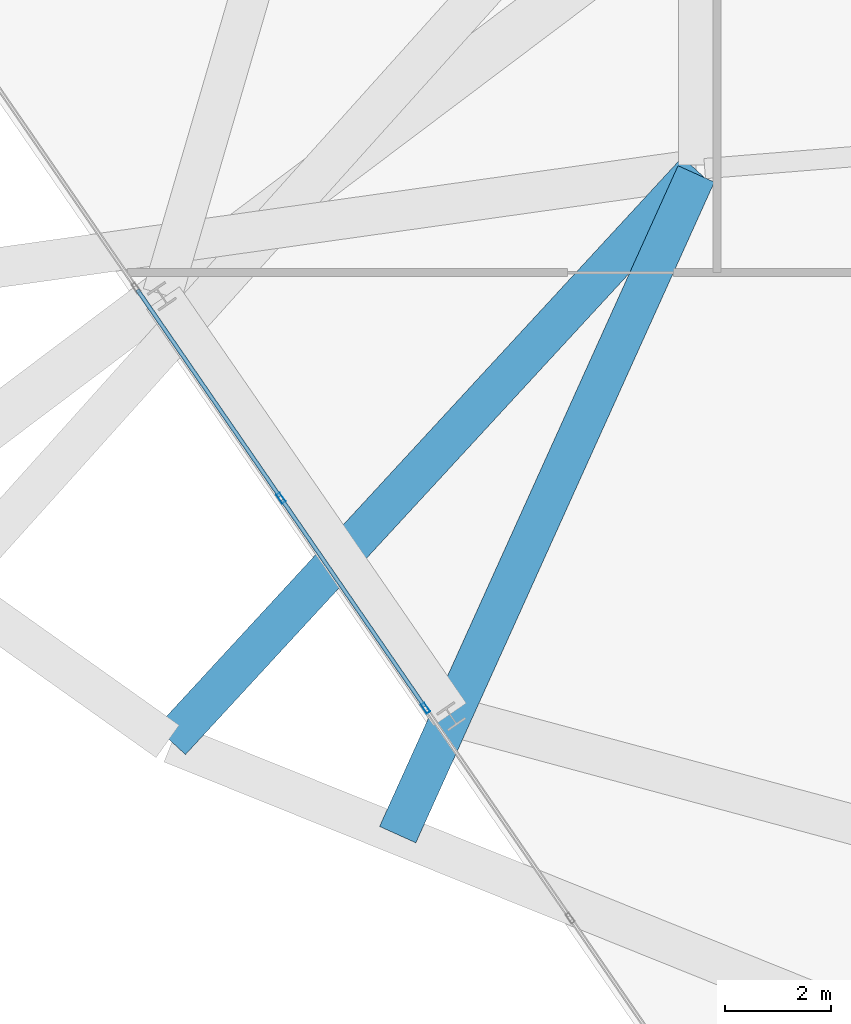
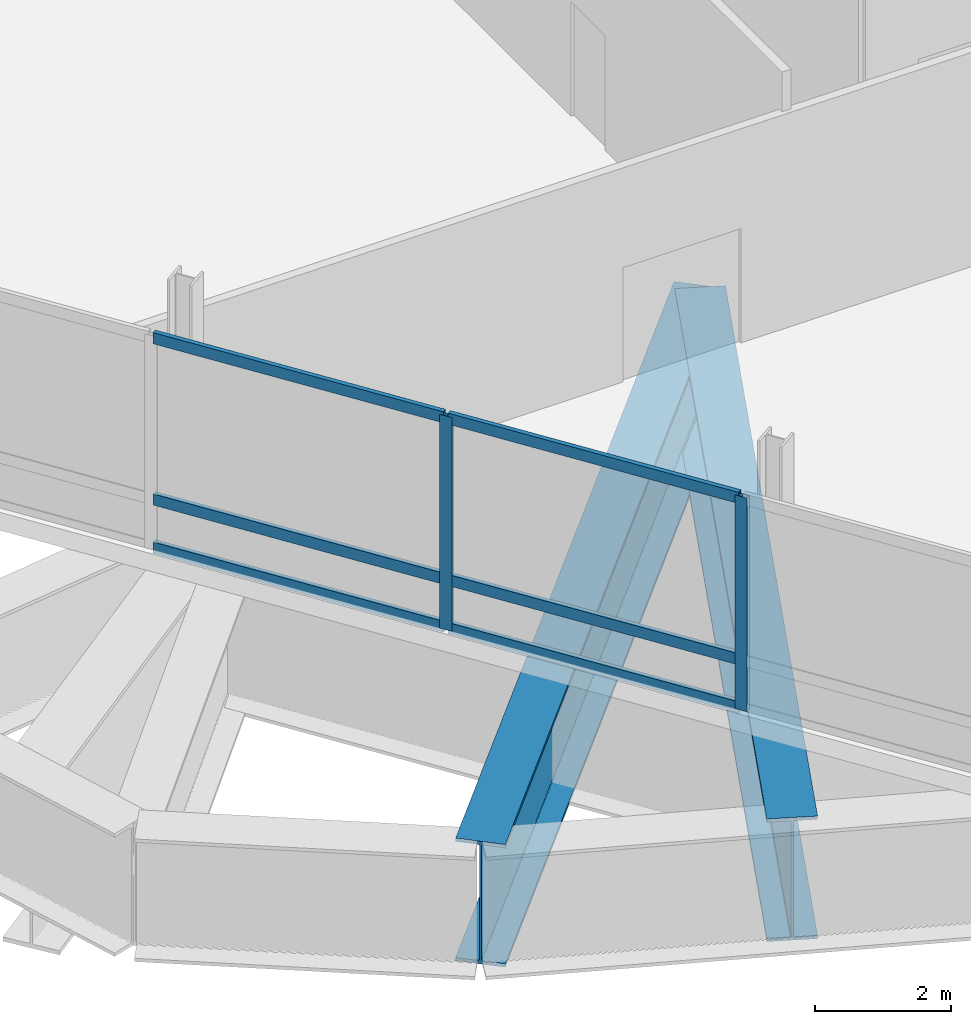
# One storey, part 4 of 18: 8 members, 2 beams, 1 element without a shape of its own.
"""IFC4 building model written with IfcOpenShell, lengths in metres."""

from ifc_helpers import new_model, si_unit, direction, frame, origin, origin_2d, place, context, subcontext, project, spatial, hollow_rectangle, i_section, extrude, material, layer, layer_set, material_profile, profile_set, type_object, element, aggregate, save


model = new_model("IFC4")

# Units and contexts
model_context = context("Model", 3, precision=1e-05, world=origin(), true_north=direction((0.0, 1.0)))
body_context = subcontext(model_context, "Body", "Model", "MODEL_VIEW")
ifc_project = project(units=[si_unit("LENGTHUNIT", "METRE"), si_unit("AREAUNIT", "SQUARE_METRE"), si_unit("VOLUMEUNIT", "CUBIC_METRE"), si_unit("PLANEANGLEUNIT", "RADIAN"), si_unit("MASSUNIT", "GRAM", prefix="KILO")], contexts=[model_context])

# Site, building, storey
site_placement = place(None, origin())
site = spatial("IfcSite", under=ifc_project, at=site_placement, CompositionType="ELEMENT")
building_placement = place(site_placement, origin())
building = spatial("IfcBuilding", under=site, at=building_placement, Name="Varnelok Gate Tower", CompositionType="ELEMENT")
storey_placement = place(building_placement, frame((0.0, 0.0, 296.300048828125)))
storey = spatial("IfcBuildingStorey", under=building, at=storey_placement, Name="L76", CompositionType="ELEMENT", Elevation=296.300048828125)

# Beams
ifc_material_1 = material(Name="Structural Steel ASTM A572 Grade 50", Category="steel")
ifc_material_profile_1 = material_profile(ifc_material_1, i_section(OverallWidth=0.75, OverallDepth=2.199951171875, WebThickness=0.031982421875, FlangeThickness=0.06005859375, FilletRadius=0.028076171875, at=origin_2d()), Name="PG2200X750")
ifc_profile_set_1 = profile_set([ifc_material_profile_1], Name="Structural Steel ASTM A572 Grade 50")
beam_type = type_object("IfcBeamType", Name="BM-TR-PG2200", PredefinedType="BEAM", material=ifc_profile_set_1)
beam_1_placement = place(storey_placement, frame((24.372802734375, 18.7705078125, -1.420166015625), z_axis=(-0.677964871919, -0.735094301735, 0.0), x_axis=(0.735094301735, -0.677964871919, 0.0)))
element("IfcBeam", 1, at=beam_1_placement, inside=storey, type_object=beam_type, Name="L76 Radial Transfer Main Girder 16", PredefinedType="BEAM", context=body_context, shape_type="SweptSolid", body=[
    extrude(i_section(OverallWidth=0.75, OverallDepth=2.199951171875, WebThickness=0.031982421875, FlangeThickness=0.06005859375, FilletRadius=0.028076171875, at=origin_2d()), origin(), (0.0, 0.0, 1.0), 14.606689453125),
])
beam_2_placement = place(storey_placement, frame((24.35888671875, 18.708984375, -1.420166015625), z_axis=(-0.411696485416, -0.911321021318, 0.0), x_axis=(0.911321021318, -0.411696485416, 0.0)))
element("IfcBeam", 2, at=beam_2_placement, inside=storey, type_object=beam_type, Name="L76 Column Transfer Carrier Girder 12", PredefinedType="BEAM", context=body_context, shape_type="SweptSolid", body=[
    extrude(i_section(OverallWidth=0.75, OverallDepth=2.199951171875, WebThickness=0.031982421875, FlangeThickness=0.06005859375, FilletRadius=0.028076171875, at=origin_2d()), origin(), (0.0, 0.0, 1.0), 13.64697265625),
])

# Curtain wall, members
ifc_material_2 = material(Name="Anodized Aluminum Alloy 6063-T6", Category="aluminium")
ifc_layer = layer(ifc_material_2, 0.179931640625)
ifc_layer_set = layer_set([ifc_layer], Name="Anodized Aluminum Alloy 6063-T6")
curtain_wall_type = type_object("IfcCurtainWallType", Name="CW6-CROWN-LOOKOUT", PredefinedType="USERDEFINED", material=ifc_layer_set)
curtain_wall_placement = place(storey_placement, origin())
curtain_wall = element("IfcCurtainWall", 3, at=curtain_wall_placement, inside=storey, type_object=curtain_wall_type, Name="L76 West End Vision Curtain Wall", ObjectType="STRUCTURAL GLAZING", PredefinedType="USERDEFINED")
ifc_material_profile_2 = material_profile(ifc_material_2, hollow_rectangle(XDim=0.074951171875, YDim=0.199951171875, WallThickness=0.00390625, at=origin_2d()), Name="ALU200X75X4")
ifc_profile_set_2 = profile_set([ifc_material_profile_2], Name="Anodized Aluminum Alloy 6063-T6")
member_type_1 = type_object("IfcMemberType", Name="CW-MULL-200", PredefinedType="MULLION", material=ifc_profile_set_2)
member_1_placement = place(storey_placement, frame((19.264892578125, 8.65380859375, 0.0), z_axis=(0.0, 0.0, 1.0), x_axis=(-0.823531954141, -0.567269883308, 0.0)))
member_1 = element("IfcMember", 4, at=member_1_placement, type_object=member_type_1, Name="CW6 mullion 3", PredefinedType="MULLION", context=body_context, shape_type="SweptSolid", body=[
    extrude(hollow_rectangle(XDim=0.074951171875, YDim=0.199951171875, WallThickness=0.00390625, at=origin_2d()), origin(), (0.0, 0.0, 1.0), 3.829833984375),
])
member_2_placement = place(storey_placement, frame((16.5419921875, 12.60693359375, 0.0), z_axis=(0.0, 0.0, 1.0), x_axis=(-0.823531954141, -0.567269883308, 0.0)))
member_2 = element("IfcMember", 5, at=member_2_placement, type_object=member_type_1, Name="CW6 mullion 4", PredefinedType="MULLION", context=body_context, shape_type="SweptSolid", body=[
    extrude(hollow_rectangle(XDim=0.074951171875, YDim=0.199951171875, WallThickness=0.00390625, at=origin_2d()), origin(), (0.0, 0.0, 1.0), 3.829833984375),
])
ifc_material_profile_3 = material_profile(ifc_material_2, hollow_rectangle(XDim=0.074951171875, YDim=0.199951171875, WallThickness=0.00390625, at=origin_2d()), Name="ALU200X75X4")
ifc_profile_set_3 = profile_set([ifc_material_profile_3], Name="Anodized Aluminum Alloy 6063-T6")
member_type_2 = type_object("IfcMemberType", Name="CW-TRAN-200", PredefinedType="USERDEFINED", material=ifc_profile_set_3)
member_3_placement = place(storey_placement, frame((19.24365234375, 8.684814453125, 0.037353515625), z_axis=(-0.567287326313, 0.823519938681, 0.0), x_axis=(-0.823519938681, -0.567287326313, 0.0)))
member_3 = element("IfcMember", 6, at=member_3_placement, type_object=member_type_2, Name="CW6 transom 3.1", ObjectType="TRANSOM", PredefinedType="USERDEFINED", context=body_context, shape_type="SweptSolid", body=[
    extrude(hollow_rectangle(XDim=0.074951171875, YDim=0.199951171875, WallThickness=0.00390625, at=origin_2d()), origin(), (0.0, 0.0, 1.0), 4.72509765625),
])
member_4_placement = place(storey_placement, frame((19.24365234375, 8.684814453125, 0.89990234375), z_axis=(-0.567287326313, 0.823519938681, 0.0), x_axis=(-0.823519938681, -0.567287326313, 0.0)))
member_4 = element("IfcMember", 7, at=member_4_placement, type_object=member_type_2, Name="CW6 transom 3.2", ObjectType="TRANSOM", PredefinedType="USERDEFINED", context=body_context, shape_type="SweptSolid", body=[
    extrude(hollow_rectangle(XDim=0.074951171875, YDim=0.199951171875, WallThickness=0.00390625, at=origin_2d()), origin(), (0.0, 0.0, 1.0), 4.72509765625),
])
member_5_placement = place(storey_placement, frame((19.24365234375, 8.684814453125, 3.79248046875), z_axis=(-0.567287326313, 0.823519938681, 0.0), x_axis=(-0.823519938681, -0.567287326313, 0.0)))
member_5 = element("IfcMember", 8, at=member_5_placement, type_object=member_type_2, Name="CW6 transom 3.3", ObjectType="TRANSOM", PredefinedType="USERDEFINED", context=body_context, shape_type="SweptSolid", body=[
    extrude(hollow_rectangle(XDim=0.074951171875, YDim=0.199951171875, WallThickness=0.00390625, at=origin_2d()), origin(), (0.0, 0.0, 1.0), 4.72509765625),
])
member_6_placement = place(storey_placement, frame((16.520751953125, 12.6376953125, 0.037353515625), z_axis=(-0.567263188195, 0.823536565866, 0.0), x_axis=(-0.823536565866, -0.567263188195, 0.0)))
member_6 = element("IfcMember", 9, at=member_6_placement, type_object=member_type_2, Name="CW6 transom 4.1", ObjectType="TRANSOM", PredefinedType="USERDEFINED", context=body_context, shape_type="SweptSolid", body=[
    extrude(hollow_rectangle(XDim=0.074951171875, YDim=0.199951171875, WallThickness=0.00390625, at=origin_2d()), origin(), (0.0, 0.0, 1.0), 4.72509765625),
])
member_7_placement = place(storey_placement, frame((16.520751953125, 12.6376953125, 0.89990234375), z_axis=(-0.567263188195, 0.823536565866, 0.0), x_axis=(-0.823536565866, -0.567263188195, 0.0)))
member_7 = element("IfcMember", 10, at=member_7_placement, type_object=member_type_2, Name="CW6 transom 4.2", ObjectType="TRANSOM", PredefinedType="USERDEFINED", context=body_context, shape_type="SweptSolid", body=[
    extrude(hollow_rectangle(XDim=0.074951171875, YDim=0.199951171875, WallThickness=0.00390625, at=origin_2d()), origin(), (0.0, 0.0, 1.0), 4.72509765625),
])
member_8_placement = place(storey_placement, frame((16.520751953125, 12.6376953125, 3.79248046875), z_axis=(-0.567263188195, 0.823536565866, 0.0), x_axis=(-0.823536565866, -0.567263188195, 0.0)))
member_8 = element("IfcMember", 11, at=member_8_placement, type_object=member_type_2, Name="CW6 transom 4.3", ObjectType="TRANSOM", PredefinedType="USERDEFINED", context=body_context, shape_type="SweptSolid", body=[
    extrude(hollow_rectangle(XDim=0.074951171875, YDim=0.199951171875, WallThickness=0.00390625, at=origin_2d()), origin(), (0.0, 0.0, 1.0), 4.72509765625),
])
aggregate(curtain_wall, [member_1, member_2, member_3, member_4, member_5, member_6, member_7, member_8])

save(model, "model.ifc")
